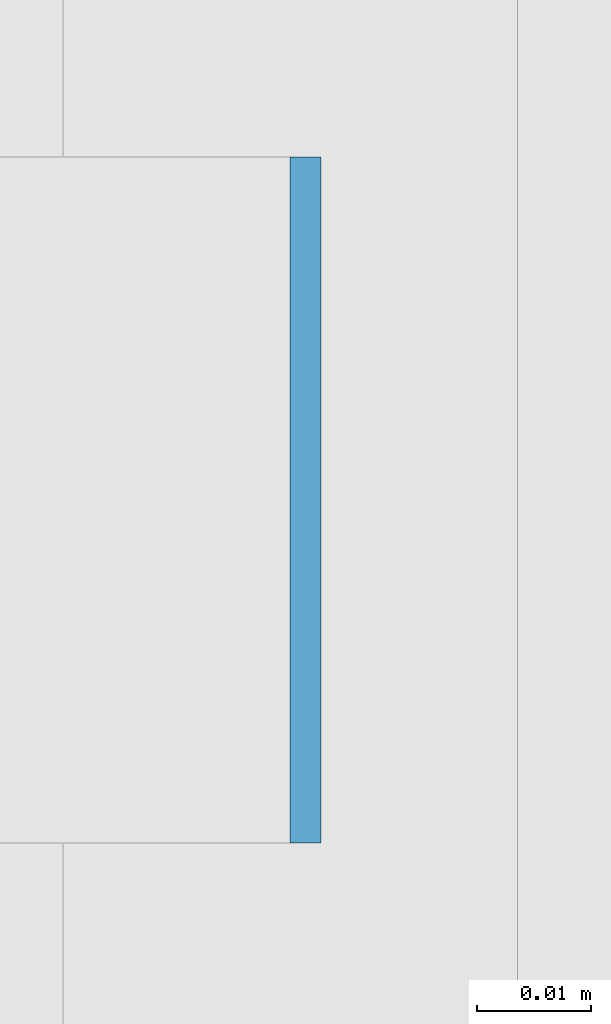
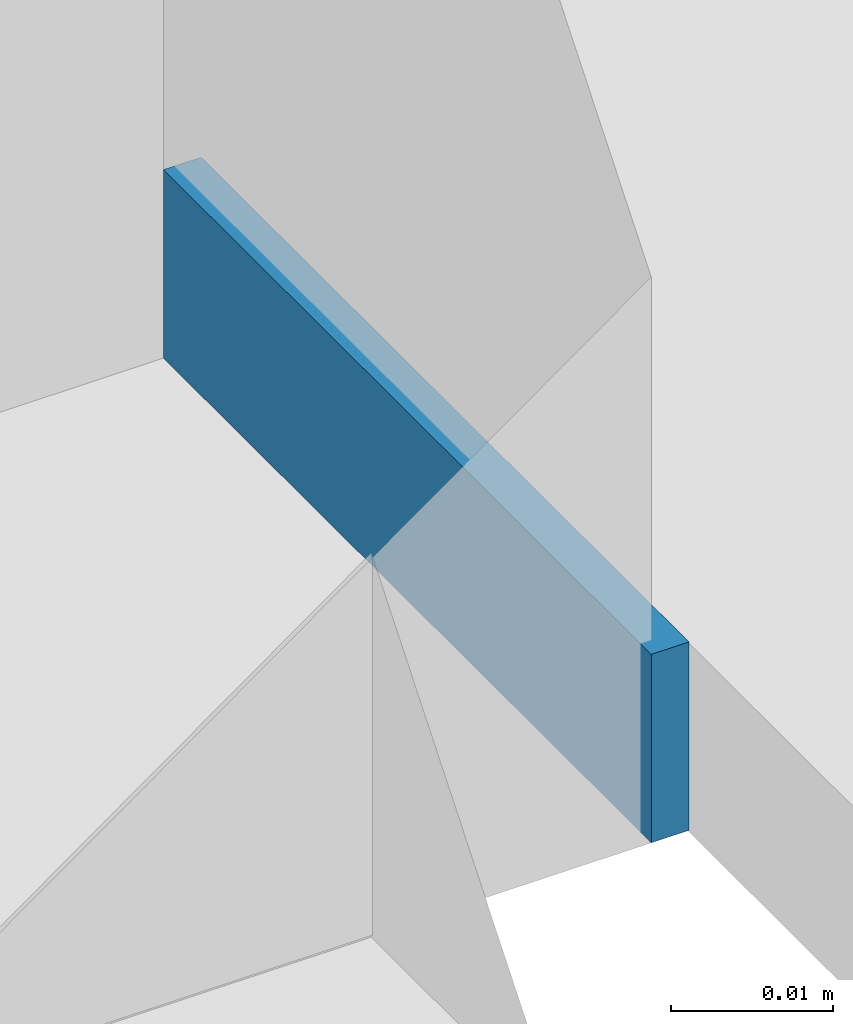
# One storey, part 256 of 646: 1 discrete accessory.
"""IFC4 building model written with IfcOpenShell, lengths in metres."""

import ifcopenshell
import ifcopenshell.guid

model = None  # the IFC model being written
_history = None  # IfcOwnerHistory: only IFC2X3 demands one
_inside = {}  # id of a spatial element -> (the spatial element, [elements in it])
_under = {}  # id of a project, library or spatial element -> (it, [spatial elements below it])
_declared = {}  # id of a project -> (the project, [libraries it declares])
_typed = {}  # id of a type object -> (the type object, [elements of that type])
_made_of = {}  # id of a material, layer set ... -> (it, [elements and type objects made of it])


def new_model(schema):
    """Start an empty IFC model of exactly this schema.

    Asked for "IFC4X3", IfcOpenShell would pick the latest addendum, in which some entities
    have other attributes; the version numbers below select the first issue.
    IFC2X3 requires an IfcOwnerHistory on every rooted entity: one is made here for all.
    """
    global model, _history
    if schema == "IFC4X3":
        model = ifcopenshell.file(schema_version=(4, 3, 0, 0))
    else:
        model = ifcopenshell.file(schema=schema)
    _inside.clear()
    _under.clear()
    _declared.clear()
    _typed.clear()
    _made_of.clear()
    _history = None
    if model.schema == "IFC2X3":
        org = make("IfcOrganization", Name="unknown")
        user = make(
            "IfcPersonAndOrganization",
            ThePerson=make("IfcPerson", FamilyName="unknown"),
            TheOrganization=org,
        )
        app = make(
            "IfcApplication",
            ApplicationDeveloper=org,
            Version="unknown",
            ApplicationFullName="unknown",
            ApplicationIdentifier="unknown",
        )
        _history = make(
            "IfcOwnerHistory",
            OwningUser=user,
            OwningApplication=app,
            ChangeAction="ADDED",
            CreationDate=0,
        )
    return model


def make(cls, **values):
    """One entity of the class cls with the attributes given. An attribute that is None is left unset."""
    return model.create_entity(
        cls, **{name: value for name, value in values.items() if value is not None}
    )


def rooted(cls, **values):
    """An entity with a GlobalId (a new one), such as an element, a storey or a relation."""
    return make(cls, GlobalId=ifcopenshell.guid.new(), OwnerHistory=_history, **values)


def si_unit(unit_type, name, prefix=None):
    """IfcSIUnit, for example si_unit("LENGTHUNIT", "METRE", prefix="MILLI")."""
    return make("IfcSIUnit", UnitType=unit_type, Prefix=prefix, Name=name)


def assignment(units):
    """IfcUnitAssignment: the units of a project."""
    return None if units is None else make("IfcUnitAssignment", Units=units)


def point(xyz):
    """IfcCartesianPoint."""
    return None if xyz is None else make("IfcCartesianPoint", Coordinates=xyz)


def direction(xyz):
    """IfcDirection."""
    return None if xyz is None else make("IfcDirection", DirectionRatios=xyz)


def frame(location, z_axis=None, x_axis=None):
    """IfcAxis2Placement3D, a coordinate frame: its origin and axes. An axis left out is left unset."""
    return make(
        "IfcAxis2Placement3D",
        Location=point(location),
        Axis=direction(z_axis),
        RefDirection=direction(x_axis),
    )


def frame_2d(location, x_axis=None):
    """IfcAxis2Placement2D, a coordinate frame in the plane: its origin and x axis."""
    return make(
        "IfcAxis2Placement2D", Location=point(location), RefDirection=direction(x_axis)
    )


def origin():
    """The frame at (0, 0, 0) with its axes left unset."""
    return frame((0.0, 0.0, 0.0))


def origin_2d():
    """The frame at (0, 0) in the plane with its x axis left unset."""
    return frame_2d((0.0, 0.0))


def place(relative_to, where):
    """IfcLocalPlacement: puts the frame where relative to a parent placement (None: the world)."""
    return make(
        "IfcLocalPlacement", PlacementRelTo=relative_to, RelativePlacement=where
    )


def context(
    kind, dimensions, precision=None, world=None, true_north=None, identifier=None
):
    """IfcGeometricRepresentationContext, for example the 3D "Model" context."""
    return make(
        "IfcGeometricRepresentationContext",
        ContextIdentifier=identifier,
        ContextType=kind,
        CoordinateSpaceDimension=dimensions,
        Precision=precision,
        WorldCoordinateSystem=world,
        TrueNorth=true_north,
    )


def subcontext(parent, identifier, kind, view, scale=None):
    """IfcGeometricRepresentationSubContext, for example "Body" below "Model"."""
    return make(
        "IfcGeometricRepresentationSubContext",
        ContextIdentifier=identifier,
        ContextType=kind,
        ParentContext=parent,
        TargetScale=scale,
        TargetView=view,
    )


def project(units=None, contexts=None):
    """IfcProject with its units and contexts."""
    return rooted(
        "IfcProject",
        Name="project",
        RepresentationContexts=contexts,
        UnitsInContext=assignment(units),
    )


def spatial(cls, under=None, at=None, **own):
    """A site, building, storey or space (cls), placed at a placement, below another one or the project."""
    s = rooted(cls, ObjectPlacement=at, **own)
    if under is not None:
        _under.setdefault(under.id(), (under, []))[1].append(s)
    return s


def profile(cls, at=None, kind="AREA", **sizes):
    """A parametric profile (cls). Its sizes go by their IFC names, for example OverallWidth=200.0."""
    return make(cls, ProfileType=kind, Position=at, **sizes)


def rectangle(**sizes):
    """IfcRectangleProfileDef."""
    return profile("IfcRectangleProfileDef", **sizes)


def extrude(swept, where, along, depth):
    """IfcExtrudedAreaSolid: the profile swept, set in the frame where, extruded along a direction by depth."""
    return make(
        "IfcExtrudedAreaSolid",
        SweptArea=swept,
        Position=where,
        ExtrudedDirection=direction(along),
        Depth=depth,
    )


def shape(context_of_items, identifier, shape_type, items):
    """IfcShapeRepresentation: the items that make up one representation, for example the "Body"."""
    return make(
        "IfcShapeRepresentation",
        ContextOfItems=context_of_items,
        RepresentationIdentifier=identifier,
        RepresentationType=shape_type,
        Items=items,
    )


def material(Name=None, Category=None):
    """IfcMaterial."""
    return make("IfcMaterial", Name=Name, Category=Category)


def made_of(thing, what):
    """Note that an element or type object is made of a material, layer set ...; save() writes the relation."""
    if what is not None:
        _made_of.setdefault(what.id(), (what, []))[1].append(thing)
    return thing


def type_object(cls, material=None, **own):
    """A type object (cls), such as IfcWallType, which elements share."""
    return made_of(rooted(cls, **own), material)


def element(
    cls,
    number,
    at=None,
    inside=None,
    cuts=None,
    type_object=None,
    material=None,
    context=None,
    identifier="Body",
    shape_type=None,
    held_by="IfcProductDefinitionShape",
    body=None,
    shapes=None,
    **own,
):
    """One element of the class cls, such as IfcWall. Its Tag is "e" and its number.

    at: its placement. inside: the storey or other place that contains it. cuts: it is an
    opening in that element (IfcRelVoidsElement). A single representation is given by context,
    identifier, shape_type and body (its items); several are given by shapes. held_by: the class
    of the entity that holds the representations. save() writes the other relations.
    """
    e = rooted(cls, Tag="e%d" % number, ObjectPlacement=at, **own)
    if body is not None:
        shapes = [shape(context, identifier, shape_type, body)]
    if shapes is not None:
        e.Representation = make(held_by, Representations=shapes)
    if inside is not None:
        _inside.setdefault(inside.id(), (inside, []))[1].append(e)
    if cuts is not None:
        rooted(
            "IfcRelVoidsElement", RelatingBuildingElement=cuts, RelatedOpeningElement=e
        )
    if type_object is not None:
        _typed.setdefault(type_object.id(), (type_object, []))[1].append(e)
    return made_of(e, material)


def aggregate(whole, parts):
    """IfcRelAggregates: a whole, such as a stair, and the parts it consists of."""
    return rooted("IfcRelAggregates", RelatingObject=whole, RelatedObjects=parts)


def save(model, path):
    """Write the relations noted so far, then the file.

    IfcRelAggregates (storeys below a building ...), IfcRelContainedInSpatialStructure (elements
    in a storey), IfcRelDefinesByType, IfcRelAssociatesMaterial and IfcRelDeclares: one each for
    every whole, place, type object, material and project.
    """
    for whole, parts in _under.values():
        aggregate(whole, parts)
    for where, things in _inside.values():
        rooted(
            "IfcRelContainedInSpatialStructure",
            RelatedElements=things,
            RelatingStructure=where,
        )
    for kind, things in _typed.values():
        rooted("IfcRelDefinesByType", RelatedObjects=things, RelatingType=kind)
    for what, things in _made_of.values():
        rooted("IfcRelAssociatesMaterial", RelatedObjects=things, RelatingMaterial=what)
    for by, libraries in _declared.values():
        rooted("IfcRelDeclares", RelatingContext=by, RelatedDefinitions=libraries)
    model.write(path)


model = new_model("IFC4")

# Units and contexts
model_context = context("Model", 3, precision=1e-05, world=origin(), true_north=direction((0.0, 1.0)))
body_context = subcontext(model_context, "Body", "Model", "MODEL_VIEW")
ifc_project = project(units=[si_unit("LENGTHUNIT", "METRE"), si_unit("AREAUNIT", "SQUARE_METRE"), si_unit("VOLUMEUNIT", "CUBIC_METRE"), si_unit("PLANEANGLEUNIT", "RADIAN"), si_unit("MASSUNIT", "GRAM", prefix="KILO")], contexts=[model_context])

# Site, building, storey
site_placement = place(None, origin())
site = spatial("IfcSite", under=ifc_project, at=site_placement, CompositionType="ELEMENT")
building_placement = place(site_placement, origin())
building = spatial("IfcBuilding", under=site, at=building_placement, Name="Silverbay Arena", CompositionType="ELEMENT")
storey_placement = place(building_placement, frame((0.0, 0.0, 33.5)))
storey = spatial("IfcBuildingStorey", under=building, at=storey_placement, Name="L05", CompositionType="ELEMENT", Elevation=33.5)

# Discrete accessory
ifc_material = material(Name="Steel S355", Category="steel")
discrete_accessory_type = type_object("IfcDiscreteAccessoryType", Name="Steel bracket plate", PredefinedType="BRACKET", material=ifc_material)
discrete_accessory_placement = place(storey_placement, frame((53.871337890625, 37.28564453125, 4.0), z_axis=(0.0, 0.0, 1.0), x_axis=(1.0, 0.0, 0.0)))
element("IfcDiscreteAccessory", 1, at=discrete_accessory_placement, inside=storey, type_object=discrete_accessory_type, Name="Curtain wall packing plate", PredefinedType="BRACKET", context=body_context, shape_type="SweptSolid", body=[
    extrude(rectangle(XDim=0.002685546875, YDim=0.06005859375, at=origin_2d()), origin(), (0.0, 0.0, 1.0), 0.01416015625),
])

save(model, "model.ifc")
